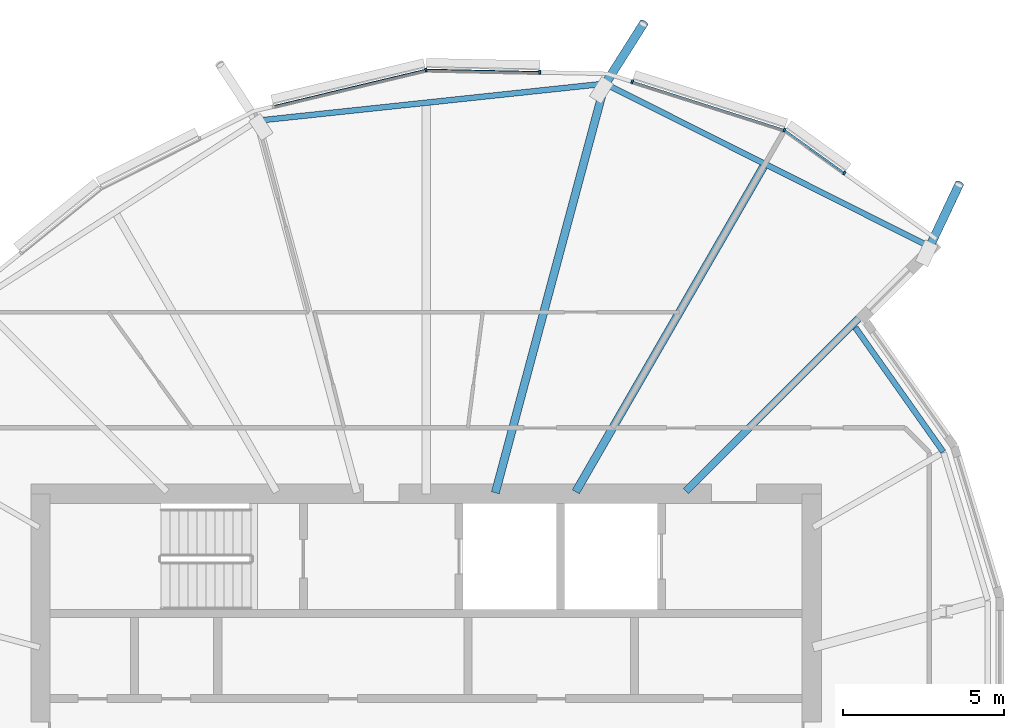
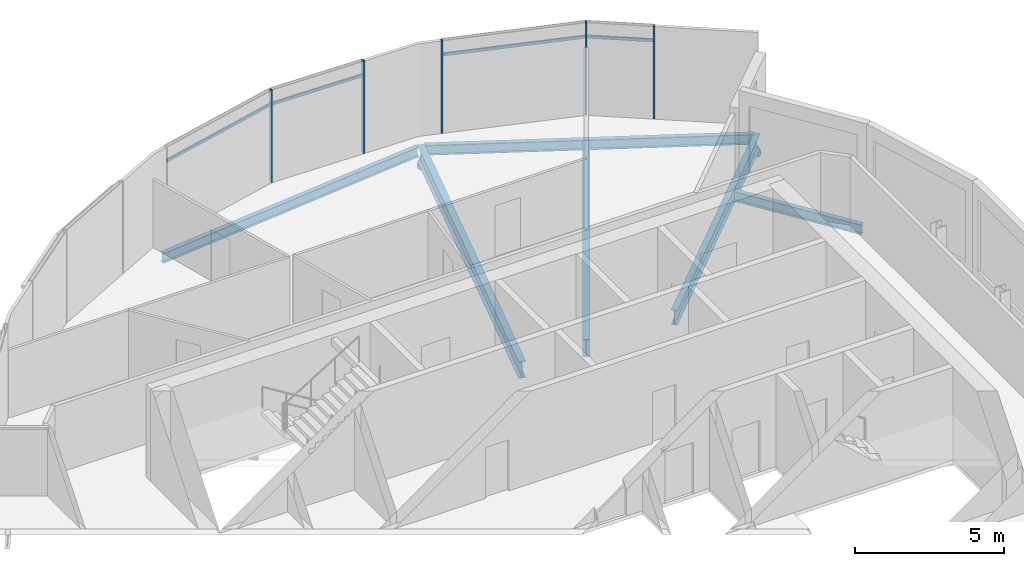
# One storey, part 17 of 37: 11 members, 6 beams, 1 element without a shape of its own.
"""IFC4 building model written with IfcOpenShell, lengths in metres."""

from ifc_helpers import new_model, si_unit, direction, frame, origin, origin_2d, place, context, subcontext, project, spatial, rectangle, hollow_circle, i_section, extrude, clip, halfspace, material, material_profile, profile_set, type_object, element, aggregate, save


model = new_model("IFC4")

# Units and contexts
model_context = context("Model", 3, precision=1e-05, world=origin(), true_north=direction((0.0, 1.0)))
body_context = subcontext(model_context, "Body", "Model", "MODEL_VIEW")
ifc_project = project(units=[si_unit("LENGTHUNIT", "METRE"), si_unit("AREAUNIT", "SQUARE_METRE"), si_unit("VOLUMEUNIT", "CUBIC_METRE"), si_unit("PLANEANGLEUNIT", "RADIAN"), si_unit("MASSUNIT", "GRAM", prefix="KILO")], contexts=[model_context])

# Site, building, storey
site_placement = place(None, origin())
site = spatial("IfcSite", under=ifc_project, at=site_placement, CompositionType="ELEMENT")
building_placement = place(site_placement, origin())
building = spatial("IfcBuilding", under=site, at=building_placement, Name="Rimbun Link Towers", CompositionType="ELEMENT")
storey_placement = place(building_placement, frame((0.0, 0.0, 162.699951171875)))
storey = spatial("IfcBuildingStorey", under=building, at=storey_placement, Name="L39", CompositionType="ELEMENT", Elevation=162.699951171875)

# Curtain wall, members
ifc_material_1 = material(Name="Aluminium 6063-T6 and low-iron glass", Category="aluminium")
curtain_wall_type = type_object("IfcCurtainWallType", Name="CW1-Z3 unitised vision wall (zone 3)", PredefinedType="NOTDEFINED", material=ifc_material_1)
curtain_wall_placement = place(storey_placement, origin())
curtain_wall = element("IfcCurtainWall", 1, at=curtain_wall_placement, inside=storey, type_object=curtain_wall_type, Name="CW1 L39 T2", PredefinedType="NOTDEFINED")
ifc_material_2 = material(Name="Aluminium 6063-T6", Category="aluminium")
ifc_material_profile_1 = material_profile(ifc_material_2, rectangle(XDim=0.1201171875, YDim=0.06005859375, at=origin_2d()), Name="MULLION 60X120")
ifc_profile_set_1 = profile_set([ifc_material_profile_1], Name="Aluminium 6063-T6")
member_type_1 = type_object("IfcMemberType", Name="CW1 mullion 60X120", PredefinedType="MULLION", material=ifc_profile_set_1)
member_1_placement = place(storey_placement, frame((42.900634765625, 19.3203125, 0.0), z_axis=(0.0, 0.0, 1.0), x_axis=(0.448577408247, 0.893743983929, 0.0)))
member_1 = element("IfcMember", 2, at=member_1_placement, type_object=member_type_1, Name="CW1 mullion", PredefinedType="MULLION", context=body_context, shape_type="SweptSolid", body=[
    extrude(rectangle(XDim=0.1201171875, YDim=0.06005859375, at=origin_2d()), origin(), (0.0, 0.0, 1.0), 3.800048828125),
])
member_2_placement = place(storey_placement, frame((44.765380859375, 17.98291015625, 0.0), z_axis=(0.0, 0.0, 1.0), x_axis=(0.583003796314, 0.812469429261, 0.0)))
member_2 = element("IfcMember", 3, at=member_2_placement, type_object=member_type_1, Name="CW1 mullion", PredefinedType="MULLION", context=body_context, shape_type="SweptSolid", body=[
    extrude(rectangle(XDim=0.1201171875, YDim=0.06005859375, at=origin_2d()), origin(), (0.0, 0.0, 1.0), 3.800048828125),
])
member_3_placement = place(storey_placement, frame((38.1611328125, 20.828369140625, 0.0), z_axis=(0.0, 0.0, 1.0), x_axis=(0.303081920912, 0.952964505749, 0.0)))
member_3 = element("IfcMember", 4, at=member_3_placement, type_object=member_type_1, Name="CW1 mullion", PredefinedType="MULLION", context=body_context, shape_type="SweptSolid", body=[
    extrude(rectangle(XDim=0.1201171875, YDim=0.06005859375, at=origin_2d()), origin(), (0.0, 0.0, 1.0), 3.800048828125),
])
member_4_placement = place(storey_placement, frame((31.74365234375, 21.19189453125, 0.0), z_axis=(0.0, 0.0, 1.0), x_axis=(-0.106647052549, 0.994296940648, 0.0)))
member_4 = element("IfcMember", 5, at=member_4_placement, type_object=member_type_1, Name="CW1 mullion", PredefinedType="MULLION", context=body_context, shape_type="SweptSolid", body=[
    extrude(rectangle(XDim=0.1201171875, YDim=0.06005859375, at=origin_2d()), origin(), (0.0, 0.0, 1.0), 3.800048828125),
])
member_5_placement = place(storey_placement, frame((35.2822265625, 21.117919921875, 0.0), z_axis=(0.0, 0.0, 1.0), x_axis=(0.021058803518, 0.999778238808, 0.0)))
member_5 = element("IfcMember", 6, at=member_5_placement, type_object=member_type_1, Name="CW1 mullion", PredefinedType="MULLION", context=body_context, shape_type="SweptSolid", body=[
    extrude(rectangle(XDim=0.1201171875, YDim=0.06005859375, at=origin_2d()), origin(), (0.0, 0.0, 1.0), 3.800048828125),
])
ifc_material_3 = material(Name="Aluminium 6063-T6", Category="aluminium")
ifc_material_profile_2 = material_profile(ifc_material_3, rectangle(XDim=0.06005859375, YDim=0.1201171875, at=origin_2d()), Name="TRANSOM 60X120")
ifc_profile_set_2 = profile_set([ifc_material_profile_2], Name="Aluminium 6063-T6")
member_type_2 = type_object("IfcMemberType", Name="CW1 transom 60X120", PredefinedType="USERDEFINED", material=ifc_profile_set_2)
member_6_placement = place(storey_placement, frame((42.931884765625, 19.296142578125, 3.199951171875), z_axis=(0.812448996076, -0.583032270783, 0.0), x_axis=(0.583032270783, 0.812448996076, 0.0)))
member_6 = element("IfcMember", 7, at=member_6_placement, type_object=member_type_2, Name="CW1 transom", ObjectType="TRANSOM", PredefinedType="USERDEFINED", context=body_context, shape_type="SweptSolid", body=[
    extrude(rectangle(XDim=0.06005859375, YDim=0.1201171875, at=origin_2d()), origin(), (0.0, 0.0, 1.0), 2.22509765625),
])
member_7_placement = place(storey_placement, frame((38.189208984375, 20.8173828125, 3.199951171875), z_axis=(0.952963694266, -0.303084472401, 0.0), x_axis=(0.303084472401, 0.952963694266, 0.0)))
member_7 = element("IfcMember", 8, at=member_7_placement, type_object=member_type_2, Name="CW1 transom", ObjectType="TRANSOM", PredefinedType="USERDEFINED", context=body_context, shape_type="SweptSolid", body=[
    extrude(rectangle(XDim=0.06005859375, YDim=0.1201171875, at=origin_2d()), origin(), (0.0, 0.0, 1.0), 4.904052734375),
])
member_8_placement = place(storey_placement, frame((31.78125, 21.189453125, 3.199951171875), z_axis=(0.999778918494, -0.021026510279, 0.0), x_axis=(0.021026510279, 0.999778918494, 0.0)))
member_8 = element("IfcMember", 9, at=member_8_placement, type_object=member_type_2, Name="CW1 transom", ObjectType="TRANSOM", PredefinedType="USERDEFINED", context=body_context, shape_type="SweptSolid", body=[
    extrude(rectangle(XDim=0.06005859375, YDim=0.1201171875, at=origin_2d()), origin(), (0.0, 0.0, 1.0), 3.4716796875),
])
member_9_placement = place(storey_placement, frame((27.02783203125, 20.0625, 3.199951171875), z_axis=(0.972572154377, 0.232601385489, 0.0), x_axis=(-0.232601385489, 0.972572154377, 0.0)))
member_9 = element("IfcMember", 10, at=member_9_placement, type_object=member_type_2, Name="CW1 transom", ObjectType="TRANSOM", PredefinedType="USERDEFINED", context=body_context, shape_type="SweptSolid", body=[
    extrude(rectangle(XDim=0.06005859375, YDim=0.1201171875, at=origin_2d()), origin(), (0.0, 0.0, 1.0), 4.8115234375),
])
aggregate(curtain_wall, [member_1, member_2, member_3, member_4, member_5, member_6, member_7, member_8, member_9])

# Members
ifc_material_4 = material(Name="Steel S355J2H", Category="steel")
ifc_material_profile_3 = material_profile(ifc_material_4, hollow_circle(Radius=0.136474609375, WallThickness=0.012451171875, at=origin_2d()), Name="CHS 273x12.5")
ifc_profile_set_3 = profile_set([ifc_material_profile_3], Name="Steel S355J2H")
member_type_3 = type_object("IfcMemberType", Name="Floor edge link CHS 273x12.5", PredefinedType="BRACE", material=ifc_profile_set_3)
member_10_placement = place(storey_placement, frame((47.400146484375, 15.650146484375, -0.871826171875), z_axis=(0.37474810268, 0.793141178925, -0.48009470923), x_axis=(-0.904156537687, 0.427201305425, 0.0)))
element("IfcMember", 11, at=member_10_placement, inside=storey, type_object=member_type_3, Name="Floor edge link T2 L39 00", PredefinedType="BRACE", context=body_context, shape_type="Clipping", body=[
    clip(extrude(hollow_circle(Radius=0.136474609375, WallThickness=0.012451171875, at=origin_2d()), frame((0.0, 0.0, -0.519775390625)), (0.0, 0.0, 1.0), 3.048095703125), halfspace(frame((0.0, 0.0, -0.244384765625), z_axis=(0.0, 0.877216660905, -0.48009470923)), False)),
])
member_11_placement = place(storey_placement, frame((37.301025390625, 20.716796875, -0.952392578125), z_axis=(0.467684820854, 0.73894946416, -0.48499958532), x_axis=(-0.844982633078, 0.534793745098, 0.0)))
element("IfcMember", 12, at=member_11_placement, inside=storey, type_object=member_type_3, Name="Floor edge link T2 L39 02", PredefinedType="BRACE", context=body_context, shape_type="Clipping", body=[
    clip(extrude(hollow_circle(Radius=0.136474609375, WallThickness=0.012451171875, at=origin_2d()), frame((0.0, 0.0, -0.512939453125)), (0.0, 0.0, 1.0), 3.135498046875), halfspace(frame((0.0, 0.0, -0.2412109375), z_axis=(0.0, 0.874514380808, -0.48499958532)), False)),
])

# Beams
ifc_material_5 = material(Name="Steel S355J2", Category="steel")
ifc_material_profile_4 = material_profile(ifc_material_5, i_section(OverallWidth=0.177978515625, OverallDepth=0.406494140625, WebThickness=0.0078125, FlangeThickness=0.0126953125, at=origin_2d()), Name="UB 406x178x60")
ifc_profile_set_4 = profile_set([ifc_material_profile_4], Name="Steel S355J2")
beam_type_1 = type_object("IfcBeamType", Name="UB 406x178x60", PredefinedType="BEAM", material=ifc_profile_set_4)
beam_1_placement = place(storey_placement, frame((47.327392578125, 15.73974609375, -0.353271484375), z_axis=(-0.893769188374, 0.448527187485, 0.0), x_axis=(-0.448527187485, -0.893769188374, 0.0)))
element("IfcBeam", 13, at=beam_1_placement, inside=storey, type_object=beam_type_1, Name="Edge beam T2 L39 00-02", PredefinedType="BEAM", context=body_context, shape_type="SweptSolid", body=[
    extrude(i_section(OverallWidth=0.177978515625, OverallDepth=0.406494140625, WebThickness=0.0078125, FlangeThickness=0.0126953125, at=origin_2d()), origin(), (0.0, 0.0, 1.0), 11.072998046875),
])
beam_2_placement = place(storey_placement, frame((37.177734375, 20.75048828125, -0.353271484375), z_axis=(-0.994378470581, -0.105884168998, 0.0), x_axis=(0.105884168998, -0.994378470581, 0.0)))
element("IfcBeam", 14, at=beam_2_placement, inside=storey, type_object=beam_type_1, Name="Edge beam T2 L39 02-04", PredefinedType="BEAM", context=body_context, shape_type="SweptSolid", body=[
    extrude(i_section(OverallWidth=0.177978515625, OverallDepth=0.406494140625, WebThickness=0.0078125, FlangeThickness=0.0126953125, at=origin_2d()), origin(), (0.0, 0.0, 1.0), 10.627197265625),
])
beam_3_placement = place(storey_placement, frame((47.8408203125, 9.307861328125, -0.353271484375), z_axis=(-0.577373343497, 0.81648026444, 0.0), x_axis=(-0.81648026444, -0.577373343497, 0.0)))
element("IfcBeam", 15, at=beam_3_placement, inside=storey, type_object=beam_type_1, Name="Edge beam T2 L39 23 recess", PredefinedType="BEAM", context=body_context, shape_type="SweptSolid", body=[
    extrude(i_section(OverallWidth=0.177978515625, OverallDepth=0.406494140625, WebThickness=0.0078125, FlangeThickness=0.0126953125, at=origin_2d()), origin(), (0.0, 0.0, 1.0), 4.734619140625),
])
ifc_material_6 = material(Name="Steel S355J2", Category="steel")
ifc_material_profile_5 = material_profile(ifc_material_6, i_section(OverallWidth=0.2275390625, OverallDepth=0.6025390625, WebThickness=0.010498046875, FlangeThickness=0.014892578125, at=origin_2d()), Name="UB 610x229x101")
ifc_profile_set_5 = profile_set([ifc_material_profile_5], Name="Steel S355J2")
beam_type_2 = type_object("IfcBeamType", Name="UB 610x229x101", PredefinedType="BEAM", material=ifc_profile_set_5)
beam_4_placement = place(storey_placement, frame((39.831298828125, 8.081298828125, -0.451171875), z_axis=(0.707106781187, 0.707106781187, 0.0), x_axis=(-0.707106781187, 0.707106781187, 0.0)))
element("IfcBeam", 16, at=beam_4_placement, inside=storey, type_object=beam_type_2, Name="Radial beam T2 L39 00", PredefinedType="BEAM", context=body_context, shape_type="SweptSolid", body=[
    extrude(i_section(OverallWidth=0.2275390625, OverallDepth=0.6025390625, WebThickness=0.010498046875, FlangeThickness=0.014892578125, at=origin_2d()), origin(), (0.0, 0.0, 1.0), 10.753662109375),
])
ifc_material_7 = material(Name="Steel S355J2", Category="steel")
ifc_material_profile_6 = material_profile(ifc_material_7, i_section(OverallWidth=0.253662109375, OverallDepth=0.68359375, WebThickness=0.012451171875, FlangeThickness=0.01904296875, at=origin_2d()), Name="UB 686x254x140")
ifc_profile_set_6 = profile_set([ifc_material_profile_6], Name="Steel S355J2")
beam_type_3 = type_object("IfcBeamType", Name="UB 686x254x140", PredefinedType="BEAM", material=ifc_profile_set_6)
beam_5_placement = place(storey_placement, frame((36.406005859375, 8.064208984375, -0.49169921875), z_axis=(0.499989438348, 0.866031501471, 0.0), x_axis=(-0.866031501471, 0.499989438348, 0.0)))
element("IfcBeam", 17, at=beam_5_placement, inside=storey, type_object=beam_type_3, Name="Radial beam T2 L39 01", PredefinedType="BEAM", context=body_context, shape_type="SweptSolid", body=[
    extrude(i_section(OverallWidth=0.253662109375, OverallDepth=0.68359375, WebThickness=0.012451171875, FlangeThickness=0.01904296875, at=origin_2d()), origin(), (0.0, 0.0, 1.0), 11.688720703125),
])
beam_6_placement = place(storey_placement, frame((33.902587890625, 8.03369140625, -0.49169921875), z_axis=(0.258823425511, 0.965924652552, 0.0), x_axis=(-0.965924652552, 0.258823425511, 0.0)))
element("IfcBeam", 18, at=beam_6_placement, inside=storey, type_object=beam_type_3, Name="Radial beam T2 L39 02", PredefinedType="BEAM", context=body_context, shape_type="SweptSolid", body=[
    extrude(i_section(OverallWidth=0.253662109375, OverallDepth=0.68359375, WebThickness=0.012451171875, FlangeThickness=0.01904296875, at=origin_2d()), origin(), (0.0, 0.0, 1.0), 13.180419921875),
])

save(model, "model.ifc")
